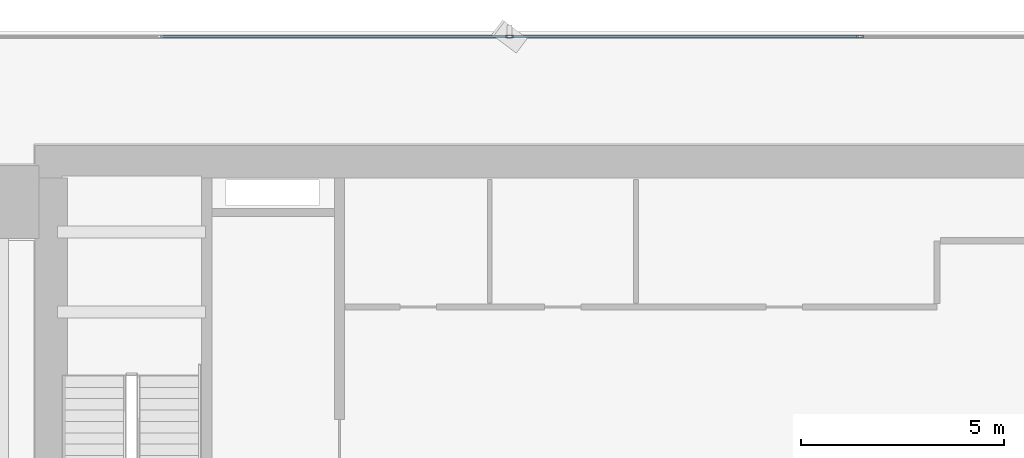
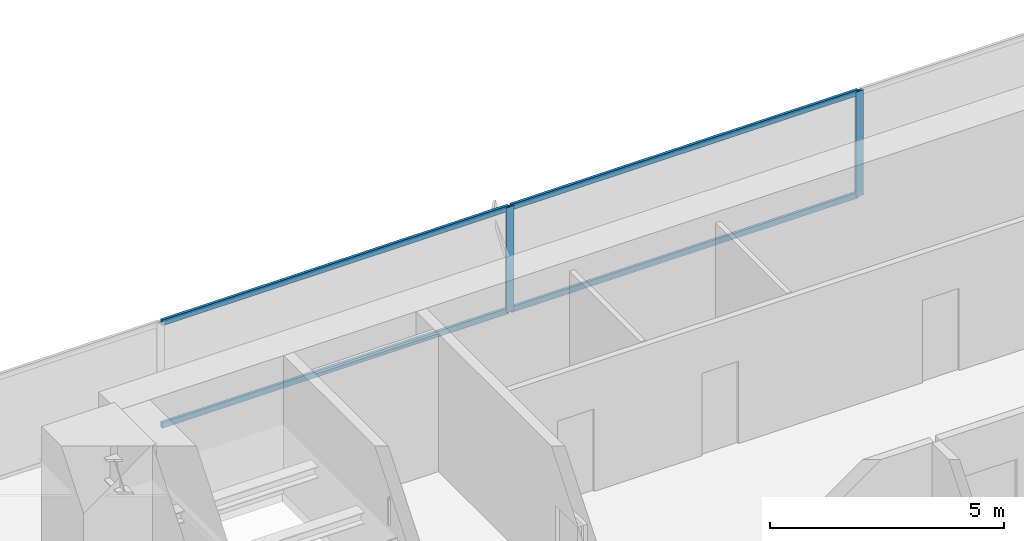
# One storey, part 19 of 33: 6 members, 1 element without a shape of its own.
"""IFC4 building model written with IfcOpenShell, lengths in metres."""

from ifc_helpers import new_model, si_unit, direction, frame, origin, origin_2d, place, context, subcontext, project, spatial, hollow_rectangle, extrude, source, transform, mapped, material, layer, layer_set, material_profile, profile_set, type_object, element, aggregate, save


model = new_model("IFC4")

# Units and contexts
model_context = context("Model", 3, precision=1e-05, world=origin(), true_north=direction((0.0, 1.0)))
body_context = subcontext(model_context, "Body", "Model", "MODEL_VIEW")
ifc_project = project(units=[si_unit("LENGTHUNIT", "METRE"), si_unit("AREAUNIT", "SQUARE_METRE"), si_unit("VOLUMEUNIT", "CUBIC_METRE"), si_unit("PLANEANGLEUNIT", "RADIAN"), si_unit("MASSUNIT", "GRAM", prefix="KILO")], contexts=[model_context])

# Site, building, storey
site_placement = place(None, origin())
site = spatial("IfcSite", under=ifc_project, at=site_placement, CompositionType="ELEMENT")
building_placement = place(site_placement, origin())
building = spatial("IfcBuilding", under=site, at=building_placement, Name="Sumidabori Civic Tower", CompositionType="ELEMENT")
storey_placement = place(building_placement, frame((0.0, 0.0, 30.800048828125)))
storey = spatial("IfcBuildingStorey", under=building, at=storey_placement, Name="L07", CompositionType="ELEMENT", Elevation=30.800048828125)

# Curtain wall, members
ifc_material = material(Name="Anodised Bronze Aluminium AW-6063-T6", Category="aluminium")
ifc_layer = layer(ifc_material, 0.179931640625, Name="Anodised Bronze Aluminium AW-6063-T6")
ifc_layer_set = layer_set([ifc_layer], Name="Anodised Bronze Aluminium AW-6063-T6")
curtain_wall_type = type_object("IfcCurtainWallType", Name="CW-SYS-2", PredefinedType="NOTDEFINED", material=ifc_layer_set)
curtain_wall_placement = place(storey_placement, origin())
curtain_wall = element("IfcCurtainWall", 1, at=curtain_wall_placement, inside=storey, type_object=curtain_wall_type, Name="Curtain Wall CW:L07:R07", PredefinedType="NOTDEFINED")
ifc_material_profile_1 = material_profile(ifc_material, hollow_rectangle(XDim=0.070068359375, YDim=0.179931640625, WallThickness=0.006103515625, at=origin_2d()), Name="ALU MULLION 180x70")
ifc_profile_set_1 = profile_set([ifc_material_profile_1], Name="Anodised Bronze Aluminium AW-6063-T6")
member_type_1 = type_object("IfcMemberType", Name="CW-MUL-180", PredefinedType="MULLION", material=ifc_profile_set_1)
shared_shape_1 = source(origin(), body_context, "Body", "SweptSolid", [
    extrude(hollow_rectangle(XDim=0.070068359375, YDim=0.179931640625, WallThickness=0.006103515625, at=origin_2d()), origin(), (0.0, 0.0, 1.0), 2.739990234375),
])
member_1_placement = place(storey_placement, frame((4.31396484375, 26.8798828125, 0.0), z_axis=(0.0, 0.0, 1.0), x_axis=(0.0, -1.0, 0.0)))
member_1 = element("IfcMember", 2, at=member_1_placement, type_object=member_type_1, Name="CW-2 mullion 3", PredefinedType="MULLION", context=body_context, shape_type="MappedRepresentation", body=[
    mapped(shared_shape_1, transform((0.0, 0.0, 0.0), x_axis=(1.0, 0.0, 0.0), y_axis=(0.0, 1.0, 0.0), z_axis=(0.0, 0.0, 1.0), scale=1.0)),
])
member_2_placement = place(storey_placement, frame((-4.31396484375, 26.8798828125, 0.0), z_axis=(0.0, 0.0, 1.0), x_axis=(0.0, -1.0, 0.0)))
member_2 = element("IfcMember", 3, at=member_2_placement, type_object=member_type_1, Name="CW-2 mullion 4", PredefinedType="MULLION", context=body_context, shape_type="MappedRepresentation", body=[
    mapped(shared_shape_1, transform((0.0, 0.0, 0.0), x_axis=(1.0, 0.0, 0.0), y_axis=(0.0, 1.0, 0.0), z_axis=(0.0, 0.0, 1.0), scale=1.0)),
])
ifc_material_profile_2 = material_profile(ifc_material, hollow_rectangle(XDim=0.06494140625, YDim=0.14990234375, WallThickness=0.0048828125, at=origin_2d()), Name="ALU TRANSOM 150x65")
ifc_profile_set_2 = profile_set([ifc_material_profile_2], Name="Anodised Bronze Aluminium AW-6063-T6")
member_type_2 = type_object("IfcMemberType", Name="CW-TRN-150", PredefinedType="USERDEFINED", material=ifc_profile_set_2)
shared_shape_2 = source(origin(), body_context, "Body", "SweptSolid", [
    extrude(hollow_rectangle(XDim=0.06494140625, YDim=0.14990234375, WallThickness=0.0048828125, at=origin_2d()), origin(), (0.0, 0.0, 1.0), 8.557861328125),
])
member_3_placement = place(storey_placement, frame((-4.34912109375, 26.8798828125, 0.032470703125), z_axis=(-1.0, 0.0, 0.0), x_axis=(0.0, -1.0, 0.0)))
member_3 = element("IfcMember", 4, at=member_3_placement, type_object=member_type_2, Name="CW-2 transom 4.1", ObjectType="TRANSOM", PredefinedType="USERDEFINED", context=body_context, shape_type="MappedRepresentation", body=[
    mapped(shared_shape_2, transform((0.0, 0.0, 0.0), x_axis=(1.0, 0.0, 0.0), y_axis=(0.0, 1.0, 0.0), z_axis=(0.0, 0.0, 1.0), scale=1.0)),
])
member_4_placement = place(storey_placement, frame((-4.34912109375, 26.8798828125, 2.70751953125), z_axis=(-1.0, 0.0, 0.0), x_axis=(0.0, -1.0, 0.0)))
member_4 = element("IfcMember", 5, at=member_4_placement, type_object=member_type_2, Name="CW-2 transom 4.2", ObjectType="TRANSOM", PredefinedType="USERDEFINED", context=body_context, shape_type="MappedRepresentation", body=[
    mapped(shared_shape_2, transform((0.0, 0.0, 0.0), x_axis=(1.0, 0.0, 0.0), y_axis=(0.0, 1.0, 0.0), z_axis=(0.0, 0.0, 1.0), scale=1.0)),
])
shared_shape_3 = source(origin(), body_context, "Body", "SweptSolid", [
    extrude(hollow_rectangle(XDim=0.06494140625, YDim=0.14990234375, WallThickness=0.0048828125, at=origin_2d()), origin(), (0.0, 0.0, 1.0), 8.55810546875),
])
member_5_placement = place(storey_placement, frame((4.279052734375, 26.8798828125, 0.032470703125), z_axis=(-1.0, 0.0, 0.0), x_axis=(0.0, -1.0, 0.0)))
member_5 = element("IfcMember", 6, at=member_5_placement, type_object=member_type_2, Name="CW-2 transom 3.1", ObjectType="TRANSOM", PredefinedType="USERDEFINED", context=body_context, shape_type="MappedRepresentation", body=[
    mapped(shared_shape_3, transform((0.0, 0.0, 0.0), x_axis=(1.0, 0.0, 0.0), y_axis=(0.0, 1.0, 0.0), z_axis=(0.0, 0.0, 1.0), scale=1.0)),
])
member_6_placement = place(storey_placement, frame((4.279052734375, 26.8798828125, 2.70751953125), z_axis=(-1.0, 0.0, 0.0), x_axis=(0.0, -1.0, 0.0)))
member_6 = element("IfcMember", 7, at=member_6_placement, type_object=member_type_2, Name="CW-2 transom 3.2", ObjectType="TRANSOM", PredefinedType="USERDEFINED", context=body_context, shape_type="MappedRepresentation", body=[
    mapped(shared_shape_3, transform((0.0, 0.0, 0.0), x_axis=(1.0, 0.0, 0.0), y_axis=(0.0, 1.0, 0.0), z_axis=(0.0, 0.0, 1.0), scale=1.0)),
])
aggregate(curtain_wall, [member_1, member_2, member_5, member_6, member_3, member_4])

save(model, "model.ifc")
